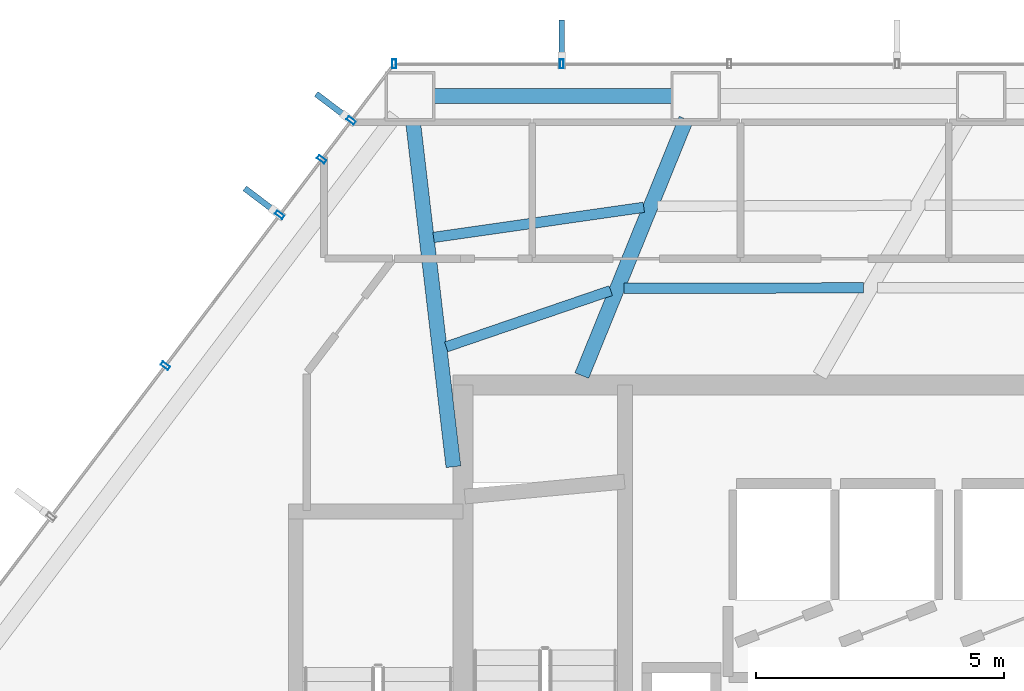
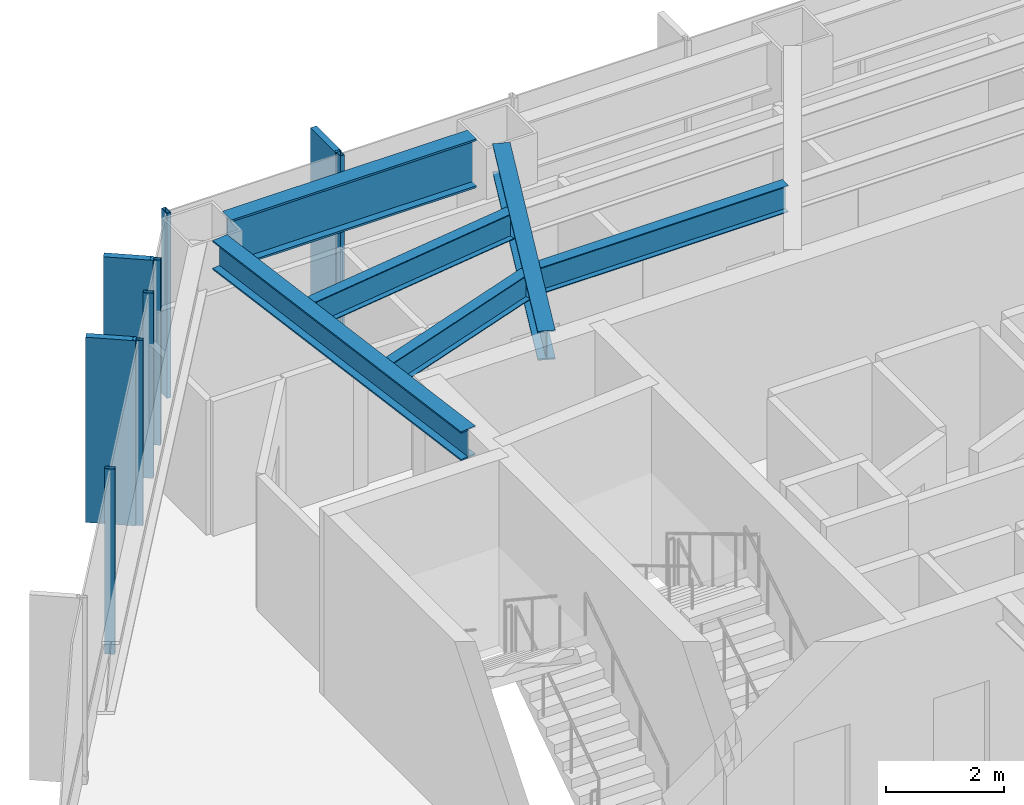
# One storey, part 12 of 25: 9 members, 6 beams, 2 elements without a shape of their own.
"""IFC4 building model written with IfcOpenShell, lengths in metres."""

from ifc_helpers import new_model, si_unit, direction, frame, origin, origin_2d, place, context, subcontext, project, spatial, rectangle, hollow_rectangle, i_section, extrude, material, layer, layer_set, material_profile, profile_set, type_object, element, aggregate, save


model = new_model("IFC4")

# Units and contexts
model_context = context("Model", 3, precision=1e-05, world=origin(), true_north=direction((0.0, 1.0)))
body_context = subcontext(model_context, "Body", "Model", "MODEL_VIEW")
ifc_project = project(units=[si_unit("LENGTHUNIT", "METRE"), si_unit("AREAUNIT", "SQUARE_METRE"), si_unit("VOLUMEUNIT", "CUBIC_METRE"), si_unit("PLANEANGLEUNIT", "RADIAN"), si_unit("MASSUNIT", "GRAM", prefix="KILO")], contexts=[model_context])

# Site, building, storey
site_placement = place(None, origin())
site = spatial("IfcSite", under=ifc_project, at=site_placement, CompositionType="ELEMENT")
building_placement = place(site_placement, origin())
building = spatial("IfcBuilding", under=site, at=building_placement, Name="Zarrinselat Tower", CompositionType="ELEMENT")
storey_placement = place(building_placement, frame((0.0, 0.0, 56.10009765625)))
storey = spatial("IfcBuildingStorey", under=building, at=storey_placement, Name="L13", CompositionType="ELEMENT", Elevation=56.10009765625)

# Beams
ifc_material_1 = material(Name="Steel S355J2", Category="steel")
ifc_material_profile_1 = material_profile(ifc_material_1, i_section(OverallWidth=0.300048828125, OverallDepth=0.60009765625, WebThickness=0.015380859375, FlangeThickness=0.030029296875, at=origin_2d()), Name="HEB 600")
ifc_profile_set_1 = profile_set([ifc_material_profile_1], Name="Steel S355J2")
beam_type_1 = type_object("IfcBeamType", Name="BM-HEB600", PredefinedType="BEAM", material=ifc_profile_set_1)
beam_1_placement = place(storey_placement, frame((31.0, 43.639892578125, 3.52001953125), z_axis=(0.376953879206, 0.926232029759, 0.0), x_axis=(-0.926232029759, 0.376953879206, 0.0)))
element("IfcBeam", 1, at=beam_1_placement, inside=storey, type_object=beam_type_1, Name="L13 Radial Primary Girder RG04", PredefinedType="BEAM", context=body_context, shape_type="SweptSolid", body=[
    extrude(i_section(OverallWidth=0.300048828125, OverallDepth=0.60009765625, WebThickness=0.015380859375, FlangeThickness=0.030029296875, at=origin_2d()), origin(), (0.0, 0.0, 1.0), 5.584716796875),
])
beam_2_placement = place(storey_placement, frame((27.593017578125, 48.779296875, 3.52001953125), z_axis=(0.116252599086, -0.993219680235, 0.0), x_axis=(0.993219680235, 0.116252599086, 0.0)))
element("IfcBeam", 2, at=beam_2_placement, inside=storey, type_object=beam_type_1, Name="L13 Radial Primary Girder RG05", PredefinedType="BEAM", context=body_context, shape_type="SweptSolid", body=[
    extrude(i_section(OverallWidth=0.300048828125, OverallDepth=0.60009765625, WebThickness=0.015380859375, FlangeThickness=0.030029296875, at=origin_2d()), origin(), (0.0, 0.0, 1.0), 7.02685546875),
])
ifc_material_2 = material(Name="Steel S460M", Category="steel")
ifc_material_profile_2 = material_profile(ifc_material_2, i_section(OverallWidth=0.302001953125, OverallDepth=1.008056640625, WebThickness=0.02099609375, FlangeThickness=0.0400390625, at=origin_2d()), Name="HEM 1000")
ifc_profile_set_2 = profile_set([ifc_material_profile_2], Name="Steel S460M")
beam_type_2 = type_object("IfcBeamType", Name="BM-HEM1000", PredefinedType="BEAM", material=ifc_profile_set_2)
beam_3_placement = place(storey_placement, frame((28.0224609375, 49.27783203125, 3.31591796875), z_axis=(1.0, 0.0, 0.0), x_axis=(0.0, 1.0, 0.0)))
element("IfcBeam", 3, at=beam_3_placement, inside=storey, type_object=beam_type_2, Name="L13 Perimeter Spandrel Girder SP04", PredefinedType="BEAM", context=body_context, shape_type="SweptSolid", body=[
    extrude(i_section(OverallWidth=0.302001953125, OverallDepth=1.008056640625, WebThickness=0.02099609375, FlangeThickness=0.0400390625, at=origin_2d()), origin(), (0.0, 0.0, 1.0), 4.783935546875),
])
ifc_material_3 = material(Name="Steel S355J2", Category="steel")
ifc_material_profile_3 = material_profile(ifc_material_3, i_section(OverallWidth=0.2099609375, OverallDepth=0.550048828125, WebThickness=0.010986328125, FlangeThickness=0.01708984375, at=origin_2d()), Name="IPE 550")
ifc_profile_set_3 = profile_set([ifc_material_profile_3], Name="Steel S355J2")
beam_type_3 = type_object("IfcBeamType", Name="BM-IPE550", PredefinedType="JOIST", material=ifc_profile_set_3)
beam_4_placement = place(storey_placement, frame((31.855712890625, 45.39892578125, 3.544921875), z_axis=(0.999997952165, 0.002023775264, 0.0), x_axis=(-0.002023775264, 0.999997952165, 0.0)))
element("IfcBeam", 4, at=beam_4_placement, inside=storey, type_object=beam_type_3, Name="L13 Composite Floor Joist 9-2", PredefinedType="JOIST", context=body_context, shape_type="SweptSolid", body=[
    extrude(i_section(OverallWidth=0.2099609375, OverallDepth=0.550048828125, WebThickness=0.010986328125, FlangeThickness=0.01708984375, at=origin_2d()), origin(), (0.0, 0.0, 1.0), 4.825439453125),
])
beam_5_placement = place(storey_placement, frame((28.00927734375, 46.426025390625, 3.544921875), z_axis=(0.989876430356, 0.141931859093, 0.0), x_axis=(-0.141931859093, 0.989876430356, 0.0)))
element("IfcBeam", 5, at=beam_5_placement, inside=storey, type_object=beam_type_3, Name="L13 Composite Floor Joist 10-1", PredefinedType="JOIST", context=body_context, shape_type="SweptSolid", body=[
    extrude(i_section(OverallWidth=0.2099609375, OverallDepth=0.550048828125, WebThickness=0.010986328125, FlangeThickness=0.01708984375, at=origin_2d()), origin(), (0.0, 0.0, 1.0), 4.284912109375),
])
beam_6_placement = place(storey_placement, frame((28.2646484375, 44.21826171875, 3.544921875), z_axis=(0.946169033833, 0.323672920424, 0.0), x_axis=(-0.323672920424, 0.946169033833, 0.0)))
element("IfcBeam", 6, at=beam_6_placement, inside=storey, type_object=beam_type_3, Name="L13 Composite Floor Joist 10-2", PredefinedType="JOIST", context=body_context, shape_type="SweptSolid", body=[
    extrude(i_section(OverallWidth=0.2099609375, OverallDepth=0.550048828125, WebThickness=0.010986328125, FlangeThickness=0.01708984375, at=origin_2d()), origin(), (0.0, 0.0, 1.0), 3.50732421875),
])

# Curtain wall, members
ifc_material_4 = material(Name="Extruded Aluminium Alloy EN AW-6063 T6", Category="aluminium")
ifc_layer = layer(ifc_material_4, 0.18505859375)
ifc_layer_set = layer_set([ifc_layer], Name="Extruded Aluminium Alloy EN AW-6063 T6")
curtain_wall_type = type_object("IfcCurtainWallType", Name="CWS-OFF", PredefinedType="NOTDEFINED", material=ifc_layer_set)
curtain_wall_1_placement = place(storey_placement, origin())
curtain_wall_1 = element("IfcCurtainWall", 7, at=curtain_wall_1_placement, inside=storey, type_object=curtain_wall_type, Name="L13 Unitised Curtain Wall CW-L13-E01", PredefinedType="NOTDEFINED")
ifc_material_5 = material(Name="Extruded Aluminium Alloy EN AW-6063 T6", Category="aluminium")
ifc_material_profile_4 = material_profile(ifc_material_5, hollow_rectangle(XDim=0.080078125, YDim=0.179931640625, WallThickness=0.0048828125, at=origin_2d()), Name="RHS 180x80x5")
ifc_profile_set_4 = profile_set([ifc_material_profile_4], Name="Extruded Aluminium Alloy EN AW-6063 T6")
member_type_1 = type_object("IfcMemberType", Name="MEM-CW-MUL", PredefinedType="MULLION", material=ifc_profile_set_4)
member_1_placement = place(storey_placement, frame((30.59521484375, 49.927734375, 0.0), z_axis=(0.0, 0.0, 1.0), x_axis=(-1.0, 0.0, 0.0)))
member_1 = element("IfcMember", 8, at=member_1_placement, type_object=member_type_1, Name="CW-L13-E01 Mullion 7", PredefinedType="MULLION", context=body_context, shape_type="SweptSolid", body=[
    extrude(hollow_rectangle(XDim=0.080078125, YDim=0.179931640625, WallThickness=0.0048828125, at=origin_2d()), origin(), (0.0, 0.0, 1.0), 3.81982421875),
])
member_2_placement = place(storey_placement, frame((27.21142578125, 49.927734375, 0.0), z_axis=(0.0, 0.0, 1.0), x_axis=(-1.0, 0.0, 0.0)))
member_2 = element("IfcMember", 9, at=member_2_placement, type_object=member_type_1, Name="CW-L13-E01 Mullion 8", PredefinedType="MULLION", context=body_context, shape_type="SweptSolid", body=[
    extrude(hollow_rectangle(XDim=0.080078125, YDim=0.179931640625, WallThickness=0.0048828125, at=origin_2d()), origin(), (0.0, 0.0, 1.0), 3.81982421875),
])

curtain_wall_2_placement = place(storey_placement, origin())
curtain_wall_2 = element("IfcCurtainWall", 10, at=curtain_wall_2_placement, inside=storey, type_object=curtain_wall_type, Name="L13 Unitised Curtain Wall CW-L13-E02", PredefinedType="NOTDEFINED")
member_3_placement = place(storey_placement, frame((26.3466796875, 48.7861328125, 0.0), z_axis=(0.0, 0.0, 1.0), x_axis=(-0.603859502298, -0.797090773679, 0.0)))
member_3 = element("IfcMember", 11, at=member_3_placement, type_object=member_type_1, Name="CW-L13-E02 Mullion 1", PredefinedType="MULLION", context=body_context, shape_type="SweptSolid", body=[
    extrude(hollow_rectangle(XDim=0.080078125, YDim=0.179931640625, WallThickness=0.0048828125, at=origin_2d()), origin(), (0.0, 0.0, 1.0), 3.81982421875),
])
member_4_placement = place(storey_placement, frame((25.752197265625, 48.00146484375, 0.0), z_axis=(0.0, 0.0, 1.0), x_axis=(-0.603859502298, -0.797090773679, 0.0)))
member_4 = element("IfcMember", 12, at=member_4_placement, type_object=member_type_1, Name="CW-L13-E02 Mullion 2", PredefinedType="MULLION", context=body_context, shape_type="SweptSolid", body=[
    extrude(hollow_rectangle(XDim=0.080078125, YDim=0.179931640625, WallThickness=0.0048828125, at=origin_2d()), origin(), (0.0, 0.0, 1.0), 3.81982421875),
])
member_5_placement = place(storey_placement, frame((24.904541015625, 46.8828125, 0.0), z_axis=(0.0, 0.0, 1.0), x_axis=(-0.603859502298, -0.797090773679, 0.0)))
member_5 = element("IfcMember", 13, at=member_5_placement, type_object=member_type_1, Name="CW-L13-E02 Mullion 3", PredefinedType="MULLION", context=body_context, shape_type="SweptSolid", body=[
    extrude(hollow_rectangle(XDim=0.080078125, YDim=0.179931640625, WallThickness=0.0048828125, at=origin_2d()), origin(), (0.0, 0.0, 1.0), 3.81982421875),
])
member_6_placement = place(storey_placement, frame((22.59765625, 43.837646484375, 0.0), z_axis=(0.0, 0.0, 1.0), x_axis=(-0.603859502298, -0.797090773679, 0.0)))
member_6 = element("IfcMember", 14, at=member_6_placement, type_object=member_type_1, Name="CW-L13-E02 Mullion 4", PredefinedType="MULLION", context=body_context, shape_type="SweptSolid", body=[
    extrude(hollow_rectangle(XDim=0.080078125, YDim=0.179931640625, WallThickness=0.0048828125, at=origin_2d()), origin(), (0.0, 0.0, 1.0), 3.81982421875),
])

# Member
ifc_material_6 = material(Name="Honed Cream Travertine Stone", Category="masonry")
ifc_material_profile_5 = material_profile(ifc_material_6, rectangle(XDim=0.1201171875, YDim=0.85009765625, at=origin_2d()), Name="FIN 850x120")
ifc_profile_set_5 = profile_set([ifc_material_profile_5], Name="Honed Cream Travertine Stone")
member_type_2 = type_object("IfcMemberType", Name="MEM-STONE-FIN", PredefinedType="USERDEFINED", material=ifc_profile_set_5)
member_7_placement = place(storey_placement, frame((30.59521484375, 50.3876953125, 0.0), z_axis=(0.0, 0.0, 1.0), x_axis=(1.0, 0.0, 0.0)))
member_7 = element("IfcMember", 15, at=member_7_placement, type_object=member_type_2, Name="L13 Stone Shading Fin CW-L13-E01-07", ObjectType="FIN", PredefinedType="USERDEFINED", context=body_context, shape_type="SweptSolid", body=[
    extrude(rectangle(XDim=0.1201171875, YDim=0.85009765625, at=origin_2d()), origin(), (0.0, 0.0, 1.0), 3.81982421875),
])

aggregate(curtain_wall_1, [member_1, member_7, member_2])

member_8_placement = place(storey_placement, frame((25.97998046875, 49.06396484375, 0.0), z_axis=(0.0, 0.0, 1.0), x_axis=(0.603859502298, 0.797090773679, 0.0)))
member_8 = element("IfcMember", 16, at=member_8_placement, type_object=member_type_2, Name="L13 Stone Shading Fin CW-L13-E02-01", ObjectType="FIN", PredefinedType="USERDEFINED", context=body_context, shape_type="SweptSolid", body=[
    extrude(rectangle(XDim=0.1201171875, YDim=0.85009765625, at=origin_2d()), origin(), (0.0, 0.0, 1.0), 3.81982421875),
])

member_9_placement = place(storey_placement, frame((24.537841796875, 47.160400390625, 0.0), z_axis=(0.0, 0.0, 1.0), x_axis=(0.603859502298, 0.797090773679, 0.0)))
member_9 = element("IfcMember", 17, at=member_9_placement, type_object=member_type_2, Name="L13 Stone Shading Fin CW-L13-E02-03", ObjectType="FIN", PredefinedType="USERDEFINED", context=body_context, shape_type="SweptSolid", body=[
    extrude(rectangle(XDim=0.1201171875, YDim=0.85009765625, at=origin_2d()), origin(), (0.0, 0.0, 1.0), 3.81982421875),
])

aggregate(curtain_wall_2, [member_3, member_8, member_4, member_5, member_9, member_6])

save(model, "model.ifc")
